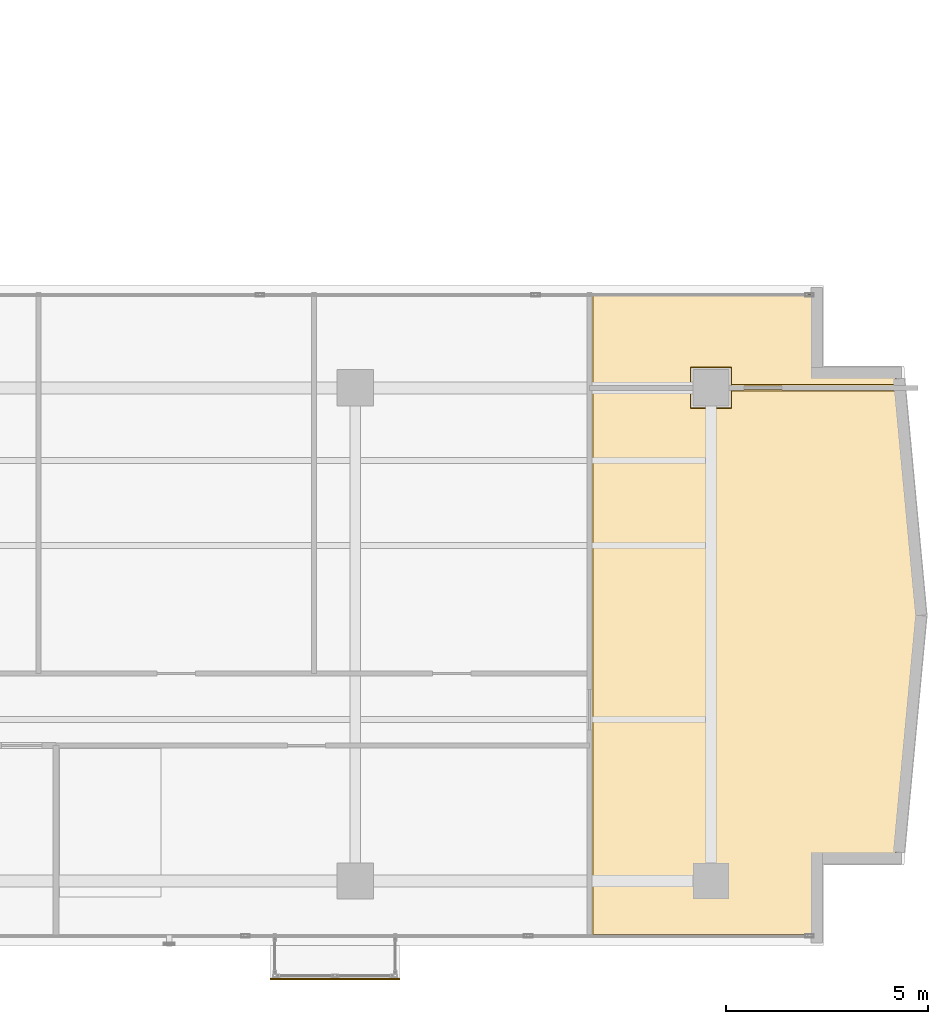
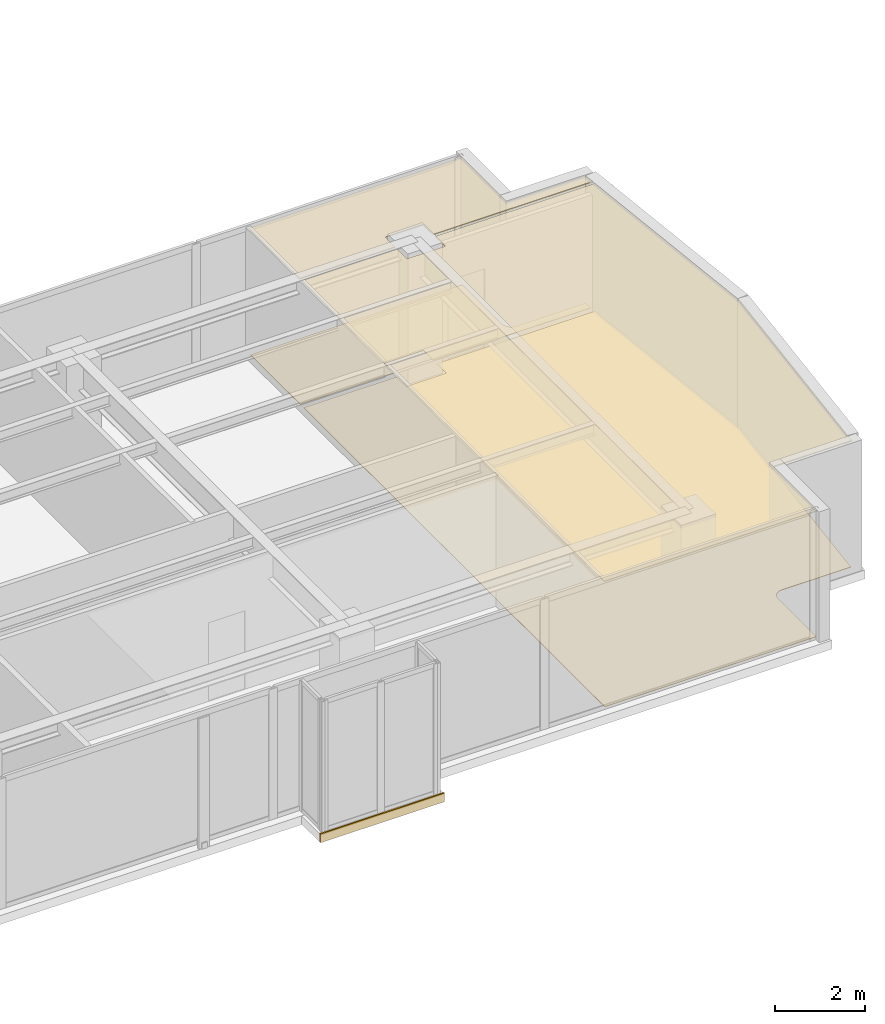
# One storey, part 23 of 24: 5 coverings.
"""IFC4 building model written with IfcOpenShell, lengths in metres."""

from ifc_helpers import new_model, si_unit, direction, frame, origin, origin_2d, place, context, subcontext, project, spatial, polyline, rectangle, outline, extrude, material, layer, layer_set, type_object, element, save


model = new_model("IFC4")

# Units and contexts
model_context = context("Model", 3, precision=1e-05, world=origin(), true_north=direction((0.0, 1.0)))
body_context = subcontext(model_context, "Body", "Model", "MODEL_VIEW")
ifc_project = project(units=[si_unit("LENGTHUNIT", "METRE"), si_unit("AREAUNIT", "SQUARE_METRE"), si_unit("VOLUMEUNIT", "CUBIC_METRE"), si_unit("PLANEANGLEUNIT", "RADIAN"), si_unit("MASSUNIT", "GRAM", prefix="KILO")], contexts=[model_context])

# Site, building, storey
site_placement = place(None, origin())
site = spatial("IfcSite", under=ifc_project, at=site_placement, CompositionType="ELEMENT")
building_placement = place(site_placement, origin())
building = spatial("IfcBuilding", under=site, at=building_placement, Name="Kolvaren Waterfront Exchange", CompositionType="ELEMENT")
storey_placement = place(building_placement, frame((0.0, 0.0, 285.60009765625)))
storey = spatial("IfcBuildingStorey", under=building, at=storey_placement, Name="L73", CompositionType="ELEMENT", Elevation=285.60009765625)

# Coverings
ifc_material_1 = material(Name="Mineral fibre acoustic ceiling tile")
ifc_layer_1 = layer(ifc_material_1, 0.02490234375, Name="Mineral fibre acoustic ceiling tile")
ifc_layer_set_1 = layer_set([ifc_layer_1], Name="Mineral fibre acoustic ceiling tile")
covering_type_1 = type_object("IfcCoveringType", Name="ARC-CEIL-ACOUSTIC-25", PredefinedType="CEILING", material=ifc_layer_set_1)
covering_1_placement = place(storey_placement, frame((0.0, 0.0, 3.44482421875)))
element("IfcCovering", 1, at=covering_1_placement, inside=storey, type_object=covering_type_1, Name="L73 acoustic suspended ceiling 2", PredefinedType="CEILING", context=body_context, shape_type="SweptSolid", body=[
    extrude(outline(polyline([(46.090087890625, 17.35498046875), (46.090087890625, 16.909912109375), (45.110107421875, 16.909912109375), (45.110107421875, 17.35498046875), (42.64501953125, 17.35498046875), (42.64501953125, 3.844970703125), (48.158935546875, 3.844970703125), (48.158935546875, 5.820068359375), (50.1787109375, 5.820068359375), (50.73681640625, 11.768310546875), (50.21240234375, 17.35498046875), (46.090087890625, 17.35498046875)])), origin(), (0.0, 0.0, 1.0), 0.025146484375),
])
covering_2_placement = place(storey_placement, frame((0.0, 0.0, 3.44482421875)))
element("IfcCovering", 2, at=covering_2_placement, inside=storey, type_object=covering_type_1, Name="L73 acoustic suspended ceiling 3", PredefinedType="CEILING", context=body_context, shape_type="SweptSolid", body=[
    extrude(outline(polyline([(45.110107421875, 17.445068359375), (45.110107421875, 17.889892578125), (46.090087890625, 17.889892578125), (46.090087890625, 17.445068359375), (50.2041015625, 17.445068359375), (50.1787109375, 17.716796875), (48.158935546875, 17.716796875), (48.158935546875, 19.716796875), (42.64501953125, 19.716796875), (42.64501953125, 17.445068359375), (45.110107421875, 17.445068359375)])), origin(), (0.0, 0.0, 1.0), 0.025146484375),
])
ifc_material_2 = material(Name="Anodised bronze fascia aluminium", Category="aluminium")
ifc_layer_2 = layer(ifc_material_2, 0.034912109375, Name="Anodised bronze fascia aluminium")
ifc_layer_set_2 = layer_set([ifc_layer_2], Name="Anodised bronze fascia aluminium")
covering_type_2 = type_object("IfcCoveringType", Name="ARC-CLAD-BRONZE-35", PredefinedType="CLADDING", material=ifc_layer_set_2)
covering_3_placement = place(storey_placement, frame((36.300048828125, 2.77001953125, -0.22021484375), z_axis=(0.0, 0.0, 1.0), x_axis=(1.0, 0.0, 0.0)))
element("IfcCovering", 3, at=covering_3_placement, inside=storey, type_object=covering_type_2, Name="L73 ribbed anodised bronze bay-box fascia", PredefinedType="CLADDING", context=body_context, shape_type="SweptSolid", body=[
    extrude(rectangle(XDim=3.199951171875, YDim=0.034912109375, at=origin_2d()), origin(), (0.0, 0.0, 1.0), 0.239990234375),
])
ifc_material_3 = material(Name="Slip-resistant porcelain tile")
ifc_layer_3 = layer(ifc_material_3, 0.014892578125, Name="Slip-resistant porcelain tile")
ifc_layer_set_3 = layer_set([ifc_layer_3], Name="Slip-resistant porcelain tile")
covering_type_3 = type_object("IfcCoveringType", Name="ARC-FLR-PORC-15", PredefinedType="FLOORING", material=ifc_layer_set_3)
covering_4_placement = place(storey_placement, origin())
element("IfcCovering", 4, at=covering_4_placement, inside=storey, type_object=covering_type_3, Name="L73 floor finish 2", PredefinedType="FLOORING", context=body_context, shape_type="SweptSolid", body=[
    extrude(outline(polyline([(42.679931640625, 17.320068359375), (42.679931640625, 3.8798828125), (48.138916015625, 3.8798828125), (48.138916015625, 5.60009765625), (48.14013671875, 5.62353515625), (48.1435546875, 5.646728515625), (48.149169921875, 5.669677734375), (48.1572265625, 5.69189453125), (48.167236328125, 5.713134765625), (48.17919921875, 5.7333984375), (48.193359375, 5.752197265625), (48.209228515625, 5.769775390625), (48.2265625, 5.785400390625), (48.24560546875, 5.799560546875), (48.265869140625, 5.811767578125), (48.287109375, 5.82177734375), (48.30908203125, 5.82958984375), (48.33203125, 5.83544921875), (48.35546875, 5.8388671875), (48.37890625, 5.840087890625), (50.160400390625, 5.840087890625), (50.716796875, 11.768310546875), (50.19580078125, 17.320068359375), (46.110107421875, 17.320068359375), (46.110107421875, 16.889892578125), (45.090087890625, 16.889892578125), (45.090087890625, 17.320068359375), (42.679931640625, 17.320068359375)])), origin(), (0.0, 0.0, 1.0), 0.014892578125),
])
covering_5_placement = place(storey_placement, origin())
element("IfcCovering", 5, at=covering_5_placement, inside=storey, type_object=covering_type_3, Name="L73 floor finish 3", PredefinedType="FLOORING", context=body_context, shape_type="SweptSolid", body=[
    extrude(outline(polyline([(42.679931640625, 19.69677734375), (42.679931640625, 17.47998046875), (45.090087890625, 17.47998046875), (45.090087890625, 17.909912109375), (46.110107421875, 17.909912109375), (46.110107421875, 17.47998046875), (50.1806640625, 17.47998046875), (50.160400390625, 17.69677734375), (48.37890625, 17.69677734375), (48.35546875, 17.697998046875), (48.33203125, 17.701416015625), (48.30908203125, 17.70703125), (48.287109375, 17.715087890625), (48.265869140625, 17.72509765625), (48.24560546875, 17.7373046875), (48.2265625, 17.751220703125), (48.209228515625, 17.76708984375), (48.193359375, 17.784423828125), (48.17919921875, 17.803466796875), (48.167236328125, 17.82373046875), (48.1572265625, 17.844970703125), (48.149169921875, 17.8671875), (48.1435546875, 17.889892578125), (48.14013671875, 17.913330078125), (48.138916015625, 17.936767578125), (48.138916015625, 19.69677734375), (42.679931640625, 19.69677734375)])), origin(), (0.0, 0.0, 1.0), 0.014892578125),
])

save(model, "model.ifc")
